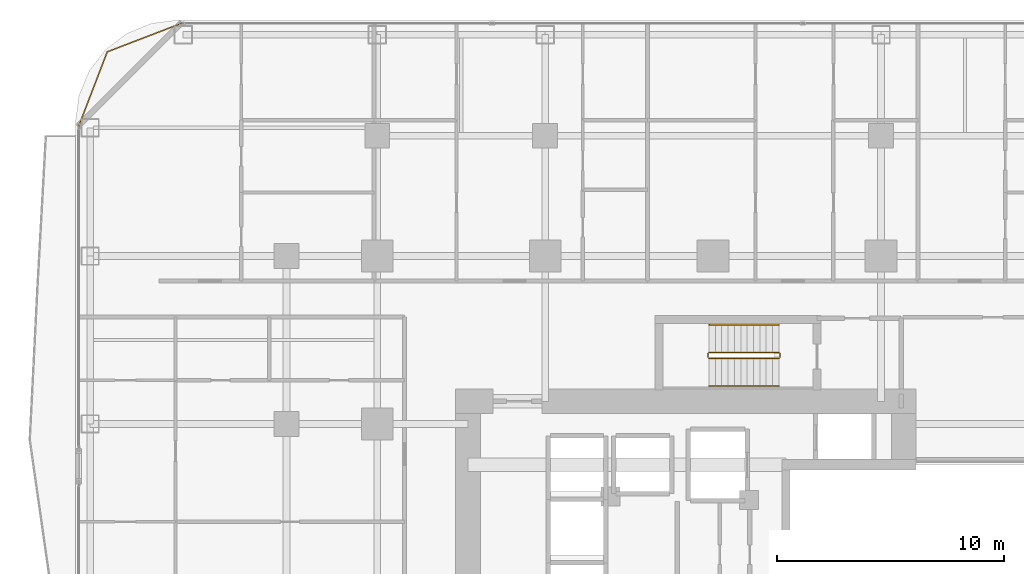
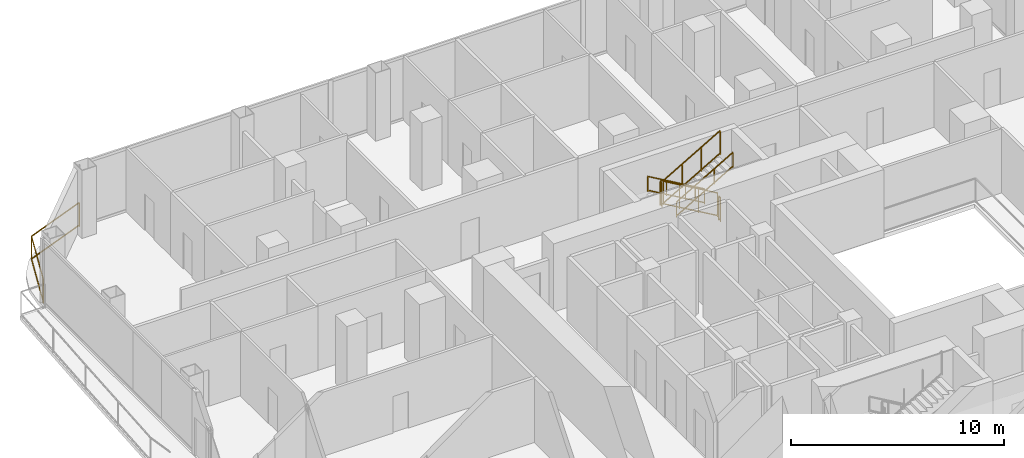
# One storey, part 28 of 29: 7 railings.
"""IFC4 building model written with IfcOpenShell, lengths in metres."""

from ifc_helpers import new_model, si_unit, direction, frame, origin, origin_2d, place, context, subcontext, project, spatial, rectangle, extrude, material, type_object, element, save


model = new_model("IFC4")

# Units and contexts
model_context = context("Model", 3, precision=1e-05, world=origin(), true_north=direction((0.0, 1.0)))
body_context = subcontext(model_context, "Body", "Model", "MODEL_VIEW")
ifc_project = project(units=[si_unit("LENGTHUNIT", "METRE"), si_unit("AREAUNIT", "SQUARE_METRE"), si_unit("VOLUMEUNIT", "CUBIC_METRE"), si_unit("PLANEANGLEUNIT", "RADIAN"), si_unit("MASSUNIT", "GRAM", prefix="KILO")], contexts=[model_context])

# Site, building, storey
site_placement = place(None, origin())
site = spatial("IfcSite", under=ifc_project, at=site_placement, CompositionType="ELEMENT")
building_placement = place(site_placement, origin())
building = spatial("IfcBuilding", under=site, at=building_placement, Name="Khorvyn Point Tower", CompositionType="ELEMENT")
storey_placement = place(building_placement, frame((0.0, 0.0, 69.60009765625)))
storey = spatial("IfcBuildingStorey", under=building, at=storey_placement, Name="L18", CompositionType="ELEMENT", Elevation=69.60009765625)

# Railings
ifc_material_1 = material(Name="Anodised aluminium 6063-T6 and laminated safety glass", Category="aluminium")
railing_type_1 = type_object("IfcRailingType", Name="Laminated Glass and Aluminium Balcony Guardrail 1400", PredefinedType="BALUSTRADE", material=ifc_material_1)
railing_1_placement = place(storey_placement, frame((-23.370849609375, 25.073974609375, 0.0)))
element("IfcRailing", 1, at=railing_1_placement, inside=storey, type_object=railing_type_1, Name="L18 Rounded Corner Edge Guardrail NW", PredefinedType="BALUSTRADE", context=body_context, shape_type="SweptSolid", body=[
    extrude(rectangle(XDim=0.048095703125, YDim=0.048095703125, at=origin_2d()), frame((0.0, 0.0, 1.3759765625), z_axis=(-0.933575007025, -0.358382067435, 0.0), x_axis=(0.358382067435, -0.933575007025, 0.0)), (0.0, 0.0, 1.0), 3.562744140625),
    extrude(rectangle(XDim=0.048095703125, YDim=0.048095703125, at=origin_2d()), frame((0.0, 0.0, 0.080078125), z_axis=(-0.933575007025, -0.358382067435, 0.0), x_axis=(0.358382067435, -0.933575007025, 0.0)), (0.0, 0.0, 1.0), 3.562744140625),
    extrude(rectangle(XDim=0.048095703125, YDim=0.048095703125, at=origin_2d()), frame((-3.326171875, -1.27685546875, 1.3759765625), z_axis=(-0.35841886047, -0.933560882031, 0.0), x_axis=(0.933560882031, -0.35841886047, 0.0)), (0.0, 0.0, 1.0), 3.563232421875),
    extrude(rectangle(XDim=0.048095703125, YDim=0.048095703125, at=origin_2d()), frame((-3.326171875, -1.27685546875, 0.080078125), z_axis=(-0.35841886047, -0.933560882031, 0.0), x_axis=(0.933560882031, -0.35841886047, 0.0)), (0.0, 0.0, 1.0), 3.563232421875),
    extrude(rectangle(XDim=0.0419921875, YDim=0.0419921875, at=origin_2d()), origin(), (0.0, 0.0, 1.0), 1.351806640625),
    extrude(rectangle(XDim=0.0419921875, YDim=0.0419921875, at=origin_2d()), frame((-3.326171875, -1.27685546875, 0.0)), (0.0, 0.0, 1.0), 1.351806640625),
    extrude(rectangle(XDim=0.0419921875, YDim=0.0419921875, at=origin_2d()), frame((-4.603271484375, -4.603271484375, 0.0)), (0.0, 0.0, 1.0), 1.351806640625),
])
ifc_material_2 = material(Name="Stainless steel 1.4301", Category="steel")
railing_type_2 = type_object("IfcRailingType", Name="Stainless Steel 304 Stair Pitch Handrail 900", PredefinedType="HANDRAIL", material=ifc_material_2)
railing_2_placement = place(storey_placement, frame((2.89990234375, 11.77001953125, 0.162353515625)))
element("IfcRailing", 2, at=railing_2_placement, inside=storey, type_object=railing_type_2, Name="L18 ST-02 stair handrail 1", PredefinedType="HANDRAIL", context=body_context, shape_type="SweptSolid", body=[
    extrude(rectangle(XDim=0.048095703125, YDim=0.048095703125, at=origin_2d()), frame((0.0, 0.0, 0.8759765625), z_axis=(-0.864873446163, 0.0, 0.501989962173), x_axis=(0.0, -1.0, 0.0)), (0.0, 0.0, 1.0), 3.56103515625),
    extrude(rectangle(XDim=0.048095703125, YDim=0.048095703125, at=origin_2d()), frame((0.0, 0.0, 0.080078125), z_axis=(-0.864873446163, 0.0, 0.501989962173), x_axis=(0.0, -1.0, 0.0)), (0.0, 0.0, 1.0), 3.56103515625),
    extrude(rectangle(XDim=0.0419921875, YDim=0.0419921875, at=origin_2d()), origin(), (0.0, 0.0, 1.0), 0.851806640625),
    extrude(rectangle(XDim=0.0419921875, YDim=0.0419921875, at=origin_2d()), frame((-1.026611328125, 0.0, 0.595947265625)), (0.0, 0.0, 1.0), 0.851806640625),
    extrude(rectangle(XDim=0.0419921875, YDim=0.0419921875, at=origin_2d()), frame((-2.05322265625, 0.0, 1.191650390625)), (0.0, 0.0, 1.0), 0.851806640625),
    extrude(rectangle(XDim=0.0419921875, YDim=0.0419921875, at=origin_2d()), frame((-3.079833984375, 0.0, 1.78759765625)), (0.0, 0.0, 1.0), 0.851806640625),
])
railing_3_placement = place(storey_placement, frame((-0.179931640625, 9.070068359375, 2.1123046875)))
element("IfcRailing", 3, at=railing_3_placement, inside=storey, type_object=railing_type_2, Name="L18 ST-02 stair handrail 2", PredefinedType="HANDRAIL", context=body_context, shape_type="SweptSolid", body=[
    extrude(rectangle(XDim=0.048095703125, YDim=0.048095703125, at=origin_2d()), frame((0.0, 0.0, 0.8759765625), z_axis=(0.864873446163, 0.0, 0.501989962173), x_axis=(0.0, 1.0, 0.0)), (0.0, 0.0, 1.0), 3.56103515625),
    extrude(rectangle(XDim=0.048095703125, YDim=0.048095703125, at=origin_2d()), frame((0.0, 0.0, 0.080078125), z_axis=(0.864873446163, 0.0, 0.501989962173), x_axis=(0.0, 1.0, 0.0)), (0.0, 0.0, 1.0), 3.56103515625),
    extrude(rectangle(XDim=0.0419921875, YDim=0.0419921875, at=origin_2d()), origin(), (0.0, 0.0, 1.0), 0.851806640625),
    extrude(rectangle(XDim=0.0419921875, YDim=0.0419921875, at=origin_2d()), frame((1.026611328125, 0.0, 0.595947265625)), (0.0, 0.0, 1.0), 0.851806640625),
    extrude(rectangle(XDim=0.0419921875, YDim=0.0419921875, at=origin_2d()), frame((2.05322265625, 0.0, 1.191650390625)), (0.0, 0.0, 1.0), 0.851806640625),
    extrude(rectangle(XDim=0.0419921875, YDim=0.0419921875, at=origin_2d()), frame((3.079833984375, 0.0, 1.78759765625)), (0.0, 0.0, 1.0), 0.851806640625),
])
railing_type_3 = type_object("IfcRailingType", Name="Stainless Steel 304 Stair Well Guardrail 1400", PredefinedType="GUARDRAIL", material=ifc_material_2)
railing_4_placement = place(storey_placement, frame((2.89990234375, 10.550048828125, 0.162353515625)))
element("IfcRailing", 4, at=railing_4_placement, inside=storey, type_object=railing_type_3, Name="L18 ST-02 stair guard 1", PredefinedType="GUARDRAIL", context=body_context, shape_type="SweptSolid", body=[
    extrude(rectangle(XDim=0.048095703125, YDim=0.048095703125, at=origin_2d()), frame((0.0, 0.0, 1.3759765625), z_axis=(-0.864873446163, 0.0, 0.501989962173), x_axis=(0.0, -1.0, 0.0)), (0.0, 0.0, 1.0), 3.56103515625),
    extrude(rectangle(XDim=0.048095703125, YDim=0.048095703125, at=origin_2d()), frame((0.0, 0.0, 0.080078125), z_axis=(-0.864873446163, 0.0, 0.501989962173), x_axis=(0.0, -1.0, 0.0)), (0.0, 0.0, 1.0), 3.56103515625),
    extrude(rectangle(XDim=0.0419921875, YDim=0.0419921875, at=origin_2d()), origin(), (0.0, 0.0, 1.0), 1.351806640625),
    extrude(rectangle(XDim=0.0419921875, YDim=0.0419921875, at=origin_2d()), frame((-1.026611328125, 0.0, 0.595947265625)), (0.0, 0.0, 1.0), 1.351806640625),
    extrude(rectangle(XDim=0.0419921875, YDim=0.0419921875, at=origin_2d()), frame((-2.05322265625, 0.0, 1.191650390625)), (0.0, 0.0, 1.0), 1.351806640625),
    extrude(rectangle(XDim=0.0419921875, YDim=0.0419921875, at=origin_2d()), frame((-3.079833984375, 0.0, 1.78759765625)), (0.0, 0.0, 1.0), 1.351806640625),
])
railing_5_placement = place(storey_placement, frame((-0.22998046875, 10.5, 1.949951171875)))
element("IfcRailing", 5, at=railing_5_placement, inside=storey, type_object=railing_type_3, Name="L18 ST-02 stair guard 2", PredefinedType="GUARDRAIL", context=body_context, shape_type="SweptSolid", body=[
    extrude(rectangle(XDim=0.048095703125, YDim=0.048095703125, at=origin_2d()), frame((0.0, 0.0, 1.3759765625), z_axis=(0.0, -1.0, 0.0), x_axis=(1.0, 0.0, 0.0)), (0.0, 0.0, 1.0), 0.159912109375),
    extrude(rectangle(XDim=0.048095703125, YDim=0.048095703125, at=origin_2d()), frame((0.0, 0.0, 0.080078125), z_axis=(0.0, -1.0, 0.0), x_axis=(1.0, 0.0, 0.0)), (0.0, 0.0, 1.0), 0.159912109375),
    extrude(rectangle(XDim=0.0419921875, YDim=0.0419921875, at=origin_2d()), origin(), (0.0, 0.0, 1.0), 1.351806640625),
    extrude(rectangle(XDim=0.0419921875, YDim=0.0419921875, at=origin_2d()), frame((0.0, -0.159912109375, 0.0)), (0.0, 0.0, 1.0), 1.351806640625),
])
railing_6_placement = place(storey_placement, frame((-0.179931640625, 10.2900390625, 2.1123046875)))
element("IfcRailing", 6, at=railing_6_placement, inside=storey, type_object=railing_type_3, Name="L18 ST-02 stair guard 3", PredefinedType="GUARDRAIL", context=body_context, shape_type="SweptSolid", body=[
    extrude(rectangle(XDim=0.048095703125, YDim=0.048095703125, at=origin_2d()), frame((0.0, 0.0, 1.3759765625), z_axis=(0.864873446163, 0.0, 0.501989962173), x_axis=(0.0, 1.0, 0.0)), (0.0, 0.0, 1.0), 3.56103515625),
    extrude(rectangle(XDim=0.048095703125, YDim=0.048095703125, at=origin_2d()), frame((0.0, 0.0, 0.080078125), z_axis=(0.864873446163, 0.0, 0.501989962173), x_axis=(0.0, 1.0, 0.0)), (0.0, 0.0, 1.0), 3.56103515625),
    extrude(rectangle(XDim=0.0419921875, YDim=0.0419921875, at=origin_2d()), origin(), (0.0, 0.0, 1.0), 1.351806640625),
    extrude(rectangle(XDim=0.0419921875, YDim=0.0419921875, at=origin_2d()), frame((1.026611328125, 0.0, 0.595947265625)), (0.0, 0.0, 1.0), 1.351806640625),
    extrude(rectangle(XDim=0.0419921875, YDim=0.0419921875, at=origin_2d()), frame((2.05322265625, 0.0, 1.191650390625)), (0.0, 0.0, 1.0), 1.351806640625),
    extrude(rectangle(XDim=0.0419921875, YDim=0.0419921875, at=origin_2d()), frame((3.079833984375, 0.0, 1.78759765625)), (0.0, 0.0, 1.0), 1.351806640625),
])
railing_7_placement = place(storey_placement, frame((2.949951171875, 10.5, 0.0)))
element("IfcRailing", 7, at=railing_7_placement, inside=storey, type_object=railing_type_3, Name="L18 ST-02 stair guard 4", PredefinedType="GUARDRAIL", context=body_context, shape_type="SweptSolid", body=[
    extrude(rectangle(XDim=0.048095703125, YDim=0.048095703125, at=origin_2d()), frame((0.0, 0.0, 1.3759765625), z_axis=(0.0, -1.0, 0.0), x_axis=(1.0, 0.0, 0.0)), (0.0, 0.0, 1.0), 0.159912109375),
    extrude(rectangle(XDim=0.048095703125, YDim=0.048095703125, at=origin_2d()), frame((0.0, 0.0, 0.080078125), z_axis=(0.0, -1.0, 0.0), x_axis=(1.0, 0.0, 0.0)), (0.0, 0.0, 1.0), 0.159912109375),
    extrude(rectangle(XDim=0.0419921875, YDim=0.0419921875, at=origin_2d()), origin(), (0.0, 0.0, 1.0), 1.351806640625),
    extrude(rectangle(XDim=0.0419921875, YDim=0.0419921875, at=origin_2d()), frame((0.0, -0.159912109375, 0.0)), (0.0, 0.0, 1.0), 1.351806640625),
])

save(model, "model.ifc")
